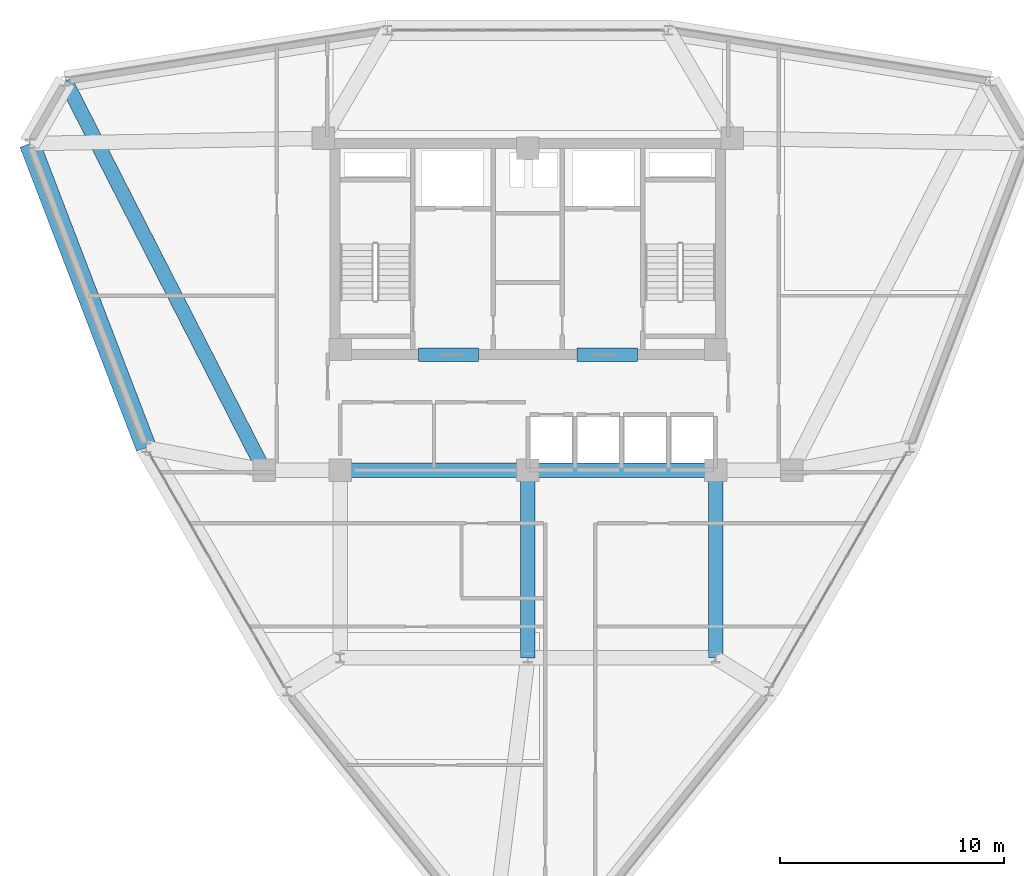
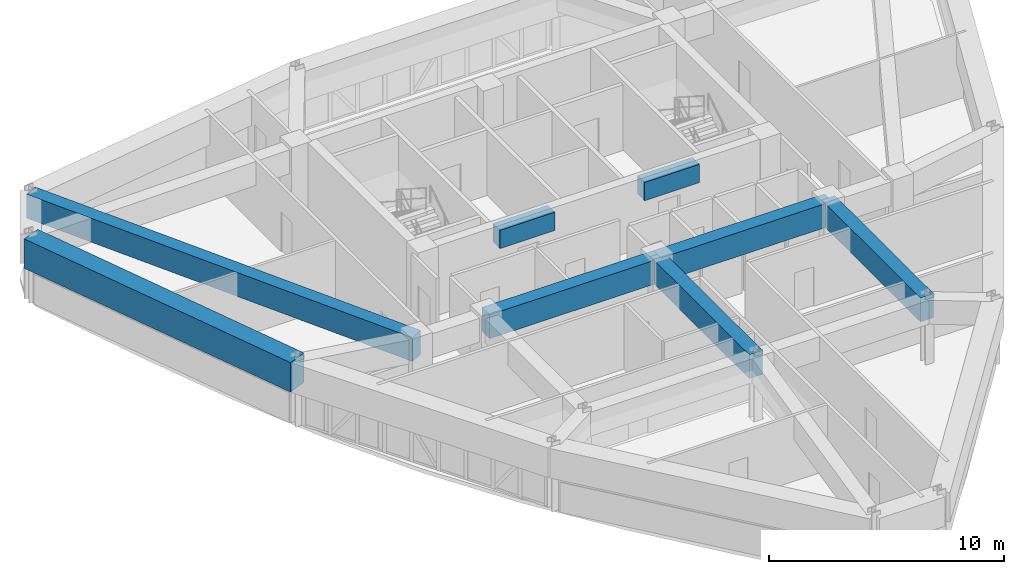
# One storey, part 5 of 13: 8 beams.
"""IFC4 building model written with IfcOpenShell, lengths in metres."""

from ifc_helpers import new_model, si_unit, derived_unit, direction, frame, origin, origin_2d, place, context, subcontext, project, spatial, rectangle, extrude, source, transform, mapped, material, material_profile, profile_set, type_object, element, save


model = new_model("IFC4")

# Units and contexts
model_context = context("Model", 3, precision=1e-05, world=origin(), true_north=direction((0.0, 1.0)))
body_context = subcontext(model_context, "Body", "Model", "MODEL_VIEW")
ifc_project = project(units=[si_unit("LENGTHUNIT", "METRE"), si_unit("AREAUNIT", "SQUARE_METRE"), si_unit("VOLUMEUNIT", "CUBIC_METRE"), si_unit("PLANEANGLEUNIT", "RADIAN"), si_unit("MASSUNIT", "GRAM", prefix="KILO"), derived_unit("THERMALTRANSMITTANCEUNIT", [(si_unit("POWERUNIT", "WATT"), 1), (si_unit("LENGTHUNIT", "METRE"), -2), (si_unit("THERMODYNAMICTEMPERATUREUNIT", "KELVIN"), -1)])], contexts=[model_context])

# Site, building, storey
site_placement = place(None, origin())
site = spatial("IfcSite", under=ifc_project, at=site_placement, CompositionType="ELEMENT")
building_placement = place(site_placement, origin())
building = spatial("IfcBuilding", under=site, at=building_placement, Name="Korsvarv Bourse and Concert Hall", CompositionType="ELEMENT")
storey_placement = place(building_placement, frame((0.0, 0.0, 179.39990234375)))
storey = spatial("IfcBuildingStorey", under=building, at=storey_placement, Name="L46", CompositionType="ELEMENT", Elevation=179.39990234375)

# Beams
ifc_material_1 = material(Name="Concrete C55/67", Category="concrete")
ifc_material_profile_1 = material_profile(ifc_material_1, rectangle(XDim=0.60009765625, YDim=0.949951171875, at=origin_2d()), Name="RC-BM 600x950")
ifc_profile_set_1 = profile_set([ifc_material_profile_1], Name="Concrete C55/67")
beam_type_1 = type_object("IfcBeamType", Name="BM-CPL", PredefinedType="LINTEL", material=ifc_profile_set_1)
shared_shape_1 = source(origin(), body_context, "Body", "SweptSolid", [
    extrude(rectangle(XDim=0.60009765625, YDim=0.949951171875, at=origin_2d()), origin(), (0.0, 0.0, 1.0), 2.699951171875),
])
for number, where, z_axis, x_axis, name in (
    (1, (31.10009765625, 37.574951171875, 2.925048828125), (1.0, 0.0, 0.0), (0.0, 1.0, 0.0), "L46 Core Coupling Beam West"),
    (2, (38.199951171875, 37.574951171875, 2.925048828125), (1.0, 0.0, 0.0), (0.0, 1.0, 0.0), "L46 Core Coupling Beam East"),
):
    element("IfcBeam", number, at=place(storey_placement, frame(where, z_axis=z_axis, x_axis=x_axis)), inside=storey, type_object=beam_type_1, Name=name, PredefinedType="LINTEL", context=body_context, shape_type="MappedRepresentation", body=[
        mapped(shared_shape_1, transform((0.0, 0.0, 0.0), scale=1.0)),
    ])
ifc_material_2 = material(Name="Concrete C50/60", Category="concrete")
ifc_material_profile_2 = material_profile(ifc_material_2, rectangle(XDim=0.64990234375, YDim=1.239990234375, at=origin_2d()), Name="RC-BM 650x1240")
ifc_profile_set_2 = profile_set([ifc_material_profile_2], Name="Concrete C50/60")
beam_type_2 = type_object("IfcBeamType", Name="BM-TR-SPN", PredefinedType="BEAM", material=ifc_profile_set_2)
shared_shape_2 = source(origin(), body_context, "Body", "SweptSolid", [
    extrude(rectangle(XDim=0.64990234375, YDim=1.239990234375, at=origin_2d()), origin(), (0.0, 0.0, 1.0), 8.39990234375),
])
for number, where, z_axis, x_axis, name in (
    (3, (27.60009765625, 32.39990234375, 2.780029296875), (1.0, 0.0, 0.0), (0.0, 1.0, 0.0), "L46 beam B-TRS"),
    (4, (36.0, 32.39990234375, 2.780029296875), (1.0, 0.0, 0.0), (0.0, 1.0, 0.0), "L46 beam B-TRS"),
    (5, (36.0, 24.0, 2.780029296875), (0.0, 1.0, 0.0), (-1.0, 0.0, 0.0), "L46 beam B-TRS"),
    (6, (44.39990234375, 24.0, 2.780029296875), (0.0, 1.0, 0.0), (-1.0, 0.0, 0.0), "L46 beam B-TRS"),
):
    element("IfcBeam", number, at=place(storey_placement, frame(where, z_axis=z_axis, x_axis=x_axis)), inside=storey, type_object=beam_type_2, Name=name, PredefinedType="BEAM", context=body_context, shape_type="MappedRepresentation", body=[
        mapped(shared_shape_2, transform((0.0, 0.0, 0.0), scale=1.0)),
    ])
ifc_material_profile_3 = material_profile(ifc_material_2, rectangle(XDim=0.919921875, YDim=1.530029296875, at=origin_2d()), Name="RC-BM 920x1530")
ifc_profile_set_3 = profile_set([ifc_material_profile_3], Name="Concrete C50/60")
beam_type_3 = type_object("IfcBeamType", Name="BM-TR-154", PredefinedType="BEAM", material=ifc_profile_set_3)
shared_shape_3 = source(origin(), body_context, "Body", "SweptSolid", [
    extrude(rectangle(XDim=0.919921875, YDim=1.530029296875, at=origin_2d()), origin(), (0.0, 0.0, 1.0), 14.573486328125),
])
beam_1_placement = place(storey_placement, frame((13.709716796875, 47.012939453125, 2.635009765625), z_axis=(0.358031436139, -0.933709532315, 0.0), x_axis=(0.933709532315, 0.358031436139, 0.0)))
element("IfcBeam", 7, at=beam_1_placement, inside=storey, type_object=beam_type_3, Name="L46 beam B-TR6", PredefinedType="BEAM", context=body_context, shape_type="MappedRepresentation", body=[
    mapped(shared_shape_3, transform((0.0, 0.0, 0.0), scale=1.0)),
])
shared_shape_4 = source(origin(), body_context, "Body", "SweptSolid", [
    extrude(rectangle(XDim=0.64990234375, YDim=1.239990234375, at=origin_2d()), origin(), (0.0, 0.0, 1.0), 19.5341796875),
])
beam_2_placement = place(storey_placement, frame((15.3173828125, 49.797607421875, 2.780029296875), z_axis=(0.454721683444, -0.890633589421, 0.0), x_axis=(0.890633589421, 0.454721683444, 0.0)))
element("IfcBeam", 8, at=beam_2_placement, inside=storey, type_object=beam_type_2, Name="L46 beam B-TRS", PredefinedType="BEAM", context=body_context, shape_type="MappedRepresentation", body=[
    mapped(shared_shape_4, transform((0.0, 0.0, 0.0), scale=1.0)),
])

save(model, "model.ifc")
